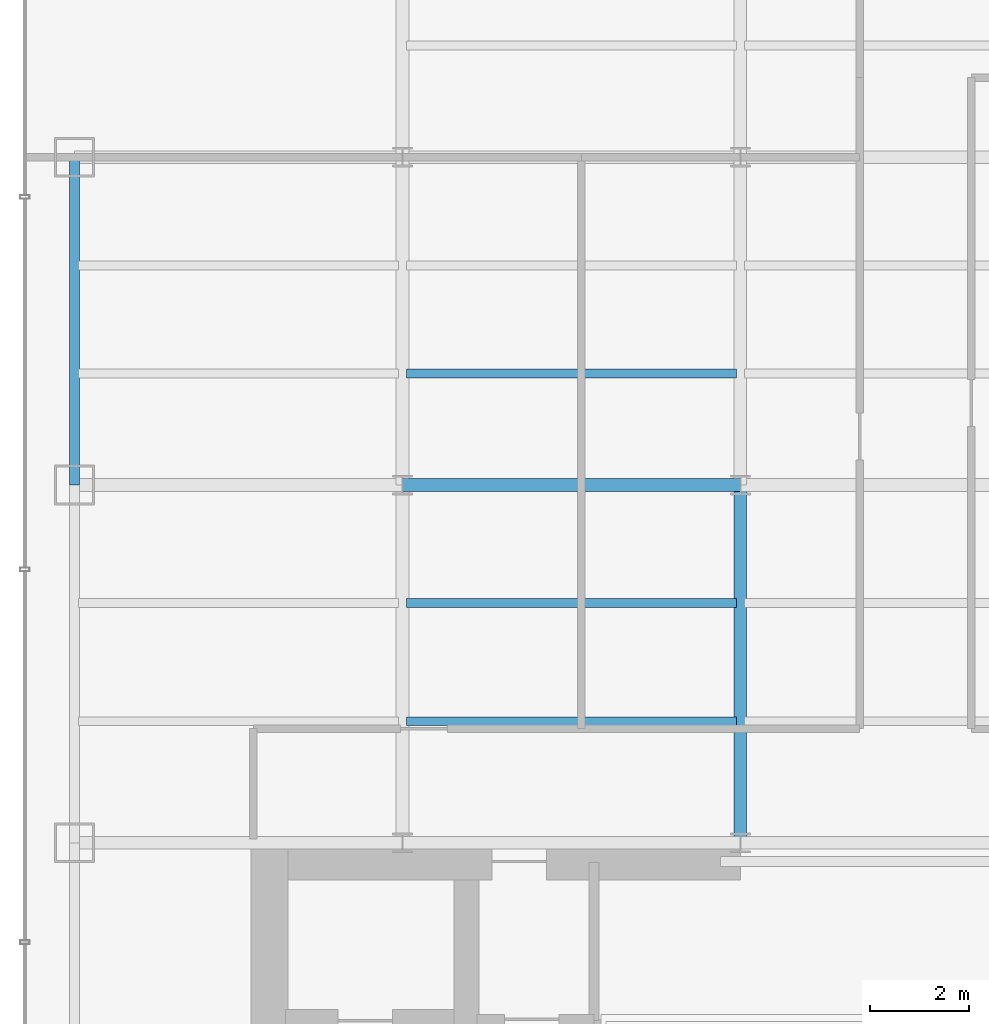
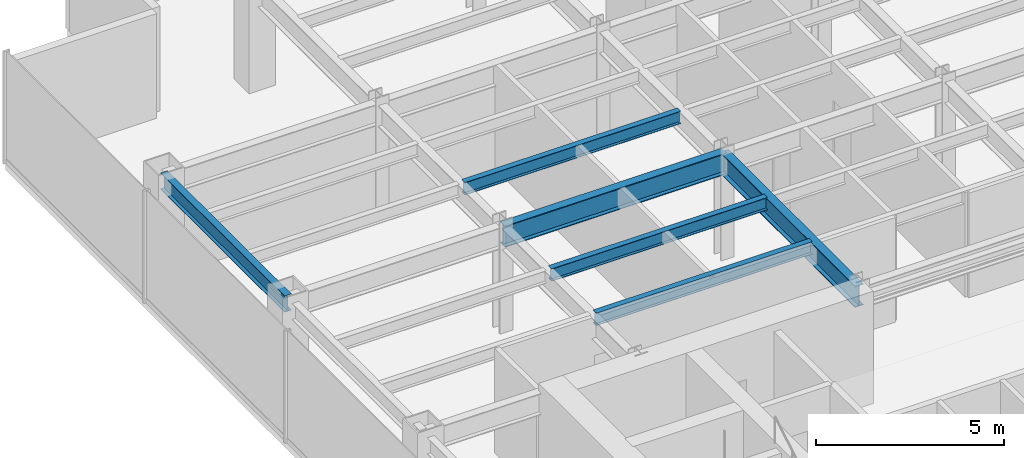
# One storey, part 5 of 26: 6 beams.
"""IFC4 building model written with IfcOpenShell, lengths in metres."""

from ifc_helpers import new_model, si_unit, derived_unit, direction, frame, origin, origin_2d, place, context, subcontext, project, spatial, i_section, extrude, source, transform, mapped, material, material_profile, profile_set, type_object, element, save


model = new_model("IFC4")

# Units and contexts
model_context = context("Model", 3, precision=1e-05, world=origin(), true_north=direction((0.0, 1.0)))
body_context = subcontext(model_context, "Body", "Model", "MODEL_VIEW")
ifc_project = project(units=[si_unit("LENGTHUNIT", "METRE"), si_unit("AREAUNIT", "SQUARE_METRE"), si_unit("VOLUMEUNIT", "CUBIC_METRE"), si_unit("PLANEANGLEUNIT", "RADIAN"), si_unit("MASSUNIT", "GRAM", prefix="KILO"), derived_unit("THERMALTRANSMITTANCEUNIT", [(si_unit("POWERUNIT", "WATT"), 1), (si_unit("LENGTHUNIT", "METRE"), -2), (si_unit("THERMODYNAMICTEMPERATUREUNIT", "KELVIN"), -1)])], contexts=[model_context])

# Site, building, storey
site_placement = place(None, origin())
site = spatial("IfcSite", under=ifc_project, at=site_placement, CompositionType="ELEMENT")
building_placement = place(site_placement, origin())
building = spatial("IfcBuilding", under=site, at=building_placement, Name="Skarnbrae Concourse Arena and Tower", CompositionType="ELEMENT")
storey_placement = place(building_placement, frame((0.0, 0.0, 110.550048828125)))
storey = spatial("IfcBuildingStorey", under=building, at=storey_placement, Name="L27", CompositionType="ELEMENT", Elevation=110.550048828125)

# Beams
ifc_material = material(Name="Steel CSA G40.21 350W", Category="steel")
ifc_material_profile_1 = material_profile(ifc_material, i_section(OverallWidth=0.256103515625, OverallDepth=0.693115234375, WebThickness=0.014404296875, FlangeThickness=0.023681640625, at=origin_2d()), Name="W690X170")
ifc_profile_set_1 = profile_set([ifc_material_profile_1], Name="Steel CSA G40.21 350W")
beam_type_1 = type_object("IfcBeamType", Name="BM-GIRD-W690X170", PredefinedType="BEAM", material=ifc_profile_set_1)
shared_shape_1 = source(origin(), body_context, "Body", "SweptSolid", [
    extrude(i_section(OverallWidth=0.256103515625, OverallDepth=0.693115234375, WebThickness=0.014404296875, FlangeThickness=0.023681640625, at=origin_2d()), origin(), (0.0, 0.0, 1.0), 6.7998046875),
])
beam_1_placement = place(storey_placement, frame((7.60009765625, 21.199951171875, 3.053466796875), z_axis=(1.0, 0.0, 0.0), x_axis=(0.0, 1.0, 0.0)))
element("IfcBeam", 1, at=beam_1_placement, inside=storey, type_object=beam_type_1, Name="L27 Primary E-W girder Y21.2-2", PredefinedType="BEAM", context=body_context, shape_type="MappedRepresentation", body=[
    mapped(shared_shape_1, transform((0.0, 0.0, 0.0))),
])
ifc_material_profile_2 = material_profile(ifc_material, i_section(OverallWidth=0.208984375, OverallDepth=0.532958984375, WebThickness=0.01025390625, FlangeThickness=0.015625, at=origin_2d()), Name="W530X92")
ifc_profile_set_2 = profile_set([ifc_material_profile_2], Name="Steel CSA G40.21 350W")
beam_type_2 = type_object("IfcBeamType", Name="BM-SPAN-W530X92", PredefinedType="SPANDREL", material=ifc_profile_set_2)
shared_shape_2 = source(origin(), body_context, "Body", "SweptSolid", [
    extrude(i_section(OverallWidth=0.208984375, OverallDepth=0.532958984375, WebThickness=0.01025390625, FlangeThickness=0.015625, at=origin_2d()), origin(), (0.0, 0.0, 1.0), 6.60009765625),
])
beam_2_placement = place(storey_placement, frame((1.0, 21.199951171875, 3.133544921875), z_axis=(0.0, 1.0, 0.0), x_axis=(-1.0, 0.0, 0.0)))
element("IfcBeam", 2, at=beam_2_placement, inside=storey, type_object=beam_type_2, Name="L27 Perimeter spandrel X1.0-3", PredefinedType="SPANDREL", context=body_context, shape_type="MappedRepresentation", body=[
    mapped(shared_shape_2, transform((0.0, 0.0, 0.0))),
])
shared_shape_3 = source(origin(), body_context, "Body", "SweptSolid", [
    extrude(i_section(OverallWidth=0.256103515625, OverallDepth=0.693115234375, WebThickness=0.014404296875, FlangeThickness=0.023681640625, at=origin_2d()), origin(), (0.0, 0.0, 1.0), 7.199951171875),
])
beam_3_placement = place(storey_placement, frame((14.39990234375, 14.0, 3.053466796875), z_axis=(0.0, 1.0, 0.0), x_axis=(-1.0, 0.0, 0.0)))
element("IfcBeam", 3, at=beam_3_placement, inside=storey, type_object=beam_type_1, Name="L27 Primary N-S girder X14.4-1", PredefinedType="BEAM", context=body_context, shape_type="MappedRepresentation", body=[
    mapped(shared_shape_3, transform((0.0, 0.0, 0.0))),
])
ifc_material_profile_3 = material_profile(ifc_material, i_section(OverallWidth=0.177978515625, OverallDepth=0.406982421875, WebThickness=0.0078125, FlangeThickness=0.0126953125, at=origin_2d()), Name="W410X60")
ifc_profile_set_3 = profile_set([ifc_material_profile_3], Name="Steel CSA G40.21 350W")
beam_type_3 = type_object("IfcBeamType", Name="BM-JOIST-W410X60", PredefinedType="JOIST", material=ifc_profile_set_3)
shared_shape_4 = source(origin(), body_context, "Body", "SweptSolid", [
    extrude(i_section(OverallWidth=0.177978515625, OverallDepth=0.406982421875, WebThickness=0.0078125, FlangeThickness=0.0126953125, at=origin_2d()), origin(), (0.0, 0.0, 1.0), 6.64013671875),
])
for number, where, z_axis, x_axis, name in (
    (4, (7.679931640625, 16.447998046875, 3.196533203125), (1.0, 0.0, 0.0), (0.0, 1.0, 0.0), "L27 Secondary floor joist 1.1.2"),
    (5, (7.679931640625, 18.823974609375, 3.196533203125), (1.0, 0.0, 0.0), (0.0, 1.0, 0.0), "L27 Secondary floor joist 1.2.2"),
    (6, (7.679931640625, 23.444091796875, 3.196533203125), (1.0, 0.0, 0.0), (0.0, 1.0, 0.0), "L27 Secondary floor joist 2.1.2"),
):
    element("IfcBeam", number, at=place(storey_placement, frame(where, z_axis=z_axis, x_axis=x_axis)), inside=storey, type_object=beam_type_3, Name=name, PredefinedType="JOIST", context=body_context, shape_type="MappedRepresentation", body=[
        mapped(shared_shape_4, transform((0.0, 0.0, 0.0))),
    ])

save(model, "model.ifc")
